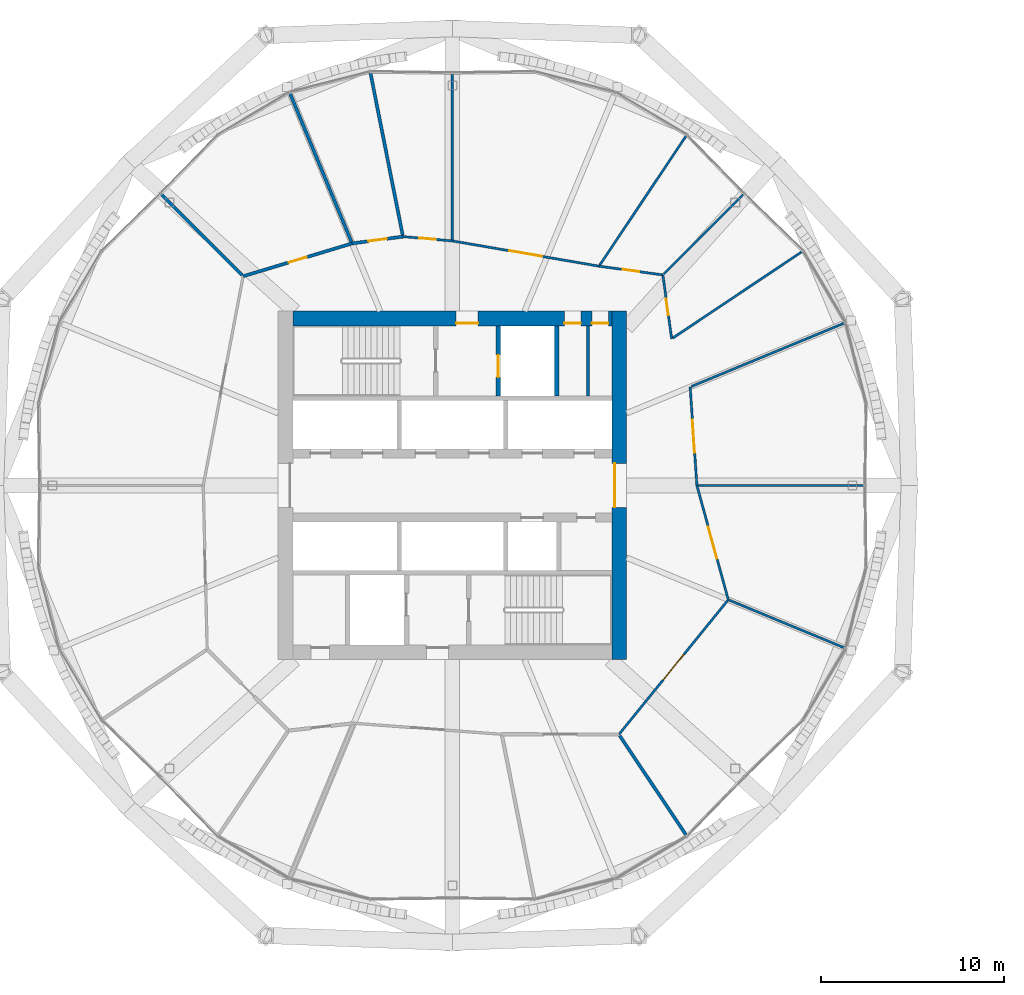
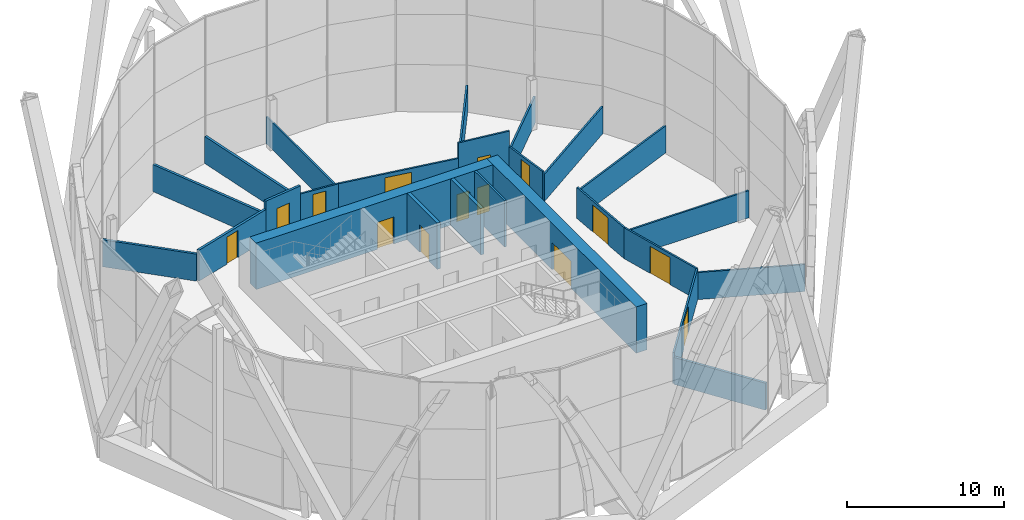
# One storey, part 29 of 37: 25 walls, 14 doors, 14 openings.
"""IFC4 building model written with IfcOpenShell, lengths in metres."""

from ifc_helpers import new_model, si_unit, direction, frame, frame_2d, origin, place, context, subcontext, project, spatial, rectangle, extrude, material, layer, layer_set, type_object, element, fill, save


model = new_model("IFC4")

# Units and contexts
model_context = context("Model", 3, precision=1e-05, world=origin(), true_north=direction((0.0, 1.0)))
body_context = subcontext(model_context, "Body", "Model", "MODEL_VIEW")
ifc_project = project(units=[si_unit("LENGTHUNIT", "METRE"), si_unit("AREAUNIT", "SQUARE_METRE"), si_unit("VOLUMEUNIT", "CUBIC_METRE"), si_unit("PLANEANGLEUNIT", "RADIAN"), si_unit("MASSUNIT", "GRAM", prefix="KILO")], contexts=[model_context])

# Site, building, storey
site_placement = place(None, origin())
site = spatial("IfcSite", under=ifc_project, at=site_placement, CompositionType="ELEMENT")
building_placement = place(site_placement, origin())
building = spatial("IfcBuilding", under=site, at=building_placement, Name="Ogive Gate Towers", CompositionType="ELEMENT")
storey_placement = place(building_placement, frame((0.0, 0.0, 32.39990234375)))
storey = spatial("IfcBuildingStorey", under=building, at=storey_placement, Name="L06", CompositionType="ELEMENT", Elevation=32.39990234375)

# Walls
ifc_material_1 = material(Name="Gypsum board acoustic partition")
ifc_layer_1 = layer(ifc_material_1, 0.175048828125)
ifc_layer_set_1 = layer_set([ifc_layer_1], Name="Acoustic partition 175")
wall_type_1 = type_object("IfcWallType", Name="Acoustic partition 175", PredefinedType="PARTITIONING", material=ifc_layer_set_1)
wall_1_placement = place(storey_placement, frame((-40.461669921875, 22.470947265625, 0.0), z_axis=(0.0, 0.0, 1.0), x_axis=(0.194737431918, -0.980855408615, 0.0)))
element("IfcWall", 1, at=wall_1_placement, inside=storey, type_object=wall_type_1, Name="Partition T1-L06-007", PredefinedType="PARTITIONING", context=body_context, shape_type="SweptSolid", body=[
    extrude(rectangle(XDim=8.991455078125, YDim=0.175048828125, at=frame_2d((4.49560546875, 0.0))), origin(), (0.0, 0.0, 1.0), 2.10009765625),
])
wall_2_placement = place(storey_placement, frame((-44.885986328125, 21.452880859375, 0.0), z_axis=(0.0, 0.0, 1.0), x_axis=(0.382685511133, -0.923878671455, 0.0)))
element("IfcWall", 2, at=wall_2_placement, inside=storey, type_object=wall_type_1, Name="Partition T1-L06-008", PredefinedType="PARTITIONING", context=body_context, shape_type="SweptSolid", body=[
    extrude(rectangle(XDim=8.851806640625, YDim=0.175048828125, at=frame_2d((4.42578125, 0.0))), origin(), (0.0, 0.0, 1.0), 2.10009765625),
])
wall_3_placement = place(storey_placement, frame((-51.845703125, 15.845703125, 0.0), z_axis=(0.0, 0.0, 1.0), x_axis=(0.707106781187, -0.707106781187, 0.0)))
element("IfcWall", 3, at=wall_3_placement, inside=storey, type_object=wall_type_1, Name="Partition T1-L06-009", PredefinedType="PARTITIONING", context=body_context, shape_type="SweptSolid", body=[
    extrude(rectangle(XDim=6.191650390625, YDim=0.175048828125, at=frame_2d((3.095703125, 0.0))), origin(), (0.0, 0.0, 1.0), 2.10009765625),
])
wall_4_placement = place(storey_placement, frame((-23.265625, -19.044189453125, 0.0), z_axis=(0.0, 0.0, 1.0), x_axis=(-0.55586264377, 0.831274155295, 0.0)))
element("IfcWall", 4, at=wall_4_placement, inside=storey, type_object=wall_type_1, Name="Partition T1-L06-015", PredefinedType="PARTITIONING", context=body_context, shape_type="SweptSolid", body=[
    extrude(rectangle(XDim=6.491455078125, YDim=0.175048828125, at=frame_2d((3.24560546875, 0.0))), origin(), (0.0, 0.0, 1.0), 2.10009765625),
])

# Wall, opening, door
wall_5_placement = place(storey_placement, frame((-38.693603515625, 13.56591796875, 0.0), z_axis=(0.0, 0.0, 1.0), x_axis=(-0.991120058081, -0.132970035981, 0.0)))
wall_5 = element("IfcWall", 5, at=wall_5_placement, inside=storey, type_object=wall_type_1, Name="Partition T1-L06-021", PredefinedType="PARTITIONING", context=body_context, shape_type="SweptSolid", body=[
    extrude(rectangle(XDim=2.79638671875, YDim=0.175048828125, at=frame_2d((1.398193359375, 0.0))), origin(), (0.0, 0.0, 1.0), 3.050048828125),
])
opening_1_placement = place(wall_5_placement, frame((0.89794921875, 0.0, 0.0)))
opening_1 = element("IfcOpeningElement", 6, at=opening_1_placement, cuts=wall_5, Name="Opening T1-L06-D05", PredefinedType="OPENING", context=body_context, shape_type="SweptSolid", body=[
    extrude(rectangle(XDim=1.0, YDim=2.10009765625, at=frame_2d((0.5, 1.050048828125))), frame((0.0, 0.09765625, 0.0), z_axis=(0.0, -1.0, 0.0), x_axis=(1.0, 0.0, 0.0)), (0.0, 0.0, 1.0), 0.195068359375),
])
ifc_material_2 = material(Name="Timber door", Category="wood")
door_type_1 = type_object("IfcDoorType", Name="Door 1000", OperationType="NOTDEFINED", PredefinedType="DOOR", material=ifc_material_2)
door_1_placement = place(opening_1_placement, origin())
door_1 = element("IfcDoor", 7, at=door_1_placement, inside=storey, type_object=door_type_1, Name="Door T1-L06-D05", OperationType="SINGLE_SWING_RIGHT", OverallHeight=2.10009765625, OverallWidth=1.0, PredefinedType="DOOR", context=body_context, shape_type="SweptSolid", body=[
    extrude(rectangle(XDim=1.0, YDim=2.10009765625, at=frame_2d((0.5, 1.050048828125))), frame((0.0, 0.02490234375, 0.0), z_axis=(0.0, -1.0, 0.0), x_axis=(1.0, 0.0, 0.0)), (0.0, 0.0, 1.0), 0.050048828125),
])
fill(opening_1, door_1)

wall_6_placement = place(storey_placement, frame((-41.465087890625, 13.194091796875, 0.0), z_axis=(0.0, 0.0, 1.0), x_axis=(-0.957554002329, -0.288253937741, 0.0)))
wall_6 = element("IfcWall", 8, at=wall_6_placement, inside=storey, type_object=wall_type_1, Name="Partition T1-L06-022", PredefinedType="PARTITIONING", context=body_context, shape_type="SweptSolid", body=[
    extrude(rectangle(XDim=6.2041015625, YDim=0.175048828125, at=frame_2d((3.10205078125, 0.0))), origin(), (0.0, 0.0, 1.0), 2.400146484375),
])
opening_2_placement = place(wall_6_placement, frame((2.60205078125, 0.0, 0.0)))
opening_2 = element("IfcOpeningElement", 9, at=opening_2_placement, cuts=wall_6, Name="Opening T1-L06-D06", PredefinedType="OPENING", context=body_context, shape_type="SweptSolid", body=[
    extrude(rectangle(XDim=1.0, YDim=2.10009765625, at=frame_2d((0.5, 1.050048828125))), frame((0.0, 0.09765625, 0.0), z_axis=(0.0, -1.0, 0.0), x_axis=(1.0, 0.0, 0.0)), (0.0, 0.0, 1.0), 0.195068359375),
])
door_2_placement = place(opening_2_placement, origin())
door_2 = element("IfcDoor", 10, at=door_2_placement, inside=storey, type_object=door_type_1, Name="Door T1-L06-D06", OperationType="SINGLE_SWING_RIGHT", OverallHeight=2.10009765625, OverallWidth=1.0, PredefinedType="DOOR", context=body_context, shape_type="SweptSolid", body=[
    extrude(rectangle(XDim=1.0, YDim=2.10009765625, at=frame_2d((0.5, 1.050048828125))), frame((0.0, 0.02490234375, 0.0), z_axis=(0.0, -1.0, 0.0), x_axis=(1.0, 0.0, 0.0)), (0.0, 0.0, 1.0), 0.050048828125),
])
fill(opening_2, door_2)

# Wall, openings, doors
ifc_material_3 = material(Name="Concrete C60/75", Category="concrete")
ifc_layer_2 = layer(ifc_material_3, 0.800048828125)
ifc_layer_set_2 = layer_set([ifc_layer_2], Name="Core wall 800 mm")
wall_type_2 = type_object("IfcWallType", Name="Core wall 800 mm", PredefinedType="SHEAR", material=ifc_layer_set_2)
wall_7_placement = place(storey_placement, frame((-44.699951171875, 9.10009765625, 0.0), z_axis=(0.0, 0.0, 1.0), x_axis=(1.0, 0.0, 0.0)))
wall_7 = element("IfcWall", 11, at=wall_7_placement, inside=storey, type_object=wall_type_2, Name="T1 L06 Core wall 800 mm", PredefinedType="SHEAR", context=body_context, shape_type="SweptSolid", body=[
    extrude(rectangle(XDim=17.39990234375, YDim=0.800048828125, at=frame_2d((8.699951171875, 0.0))), origin(), (0.0, 0.0, 1.0), 3.60009765625),
])
opening_3_placement = place(wall_7_placement, frame((8.89990234375, 0.0, 0.0)))
opening_3 = element("IfcOpeningElement", 12, at=opening_3_placement, cuts=wall_7, Name="Opening KD-T1-L06-15", PredefinedType="OPENING", context=body_context, shape_type="SweptSolid", body=[
    extrude(rectangle(XDim=1.199951171875, YDim=2.10009765625, at=frame_2d((0.60009765625, 1.050048828125))), frame((0.0, 0.41015625, 0.0), z_axis=(0.0, -1.0, 0.0), x_axis=(1.0, 0.0, 0.0)), (0.0, 0.0, 1.0), 0.820068359375),
])
opening_4_placement = place(wall_7_placement, frame((14.800048828125, 0.0, 0.0)))
opening_4 = element("IfcOpeningElement", 13, at=opening_4_placement, cuts=wall_7, Name="Opening KD-T1-L06-17", PredefinedType="OPENING", context=body_context, shape_type="SweptSolid", body=[
    extrude(rectangle(XDim=0.89990234375, YDim=2.10009765625, at=frame_2d((0.449951171875, 1.050048828125))), frame((0.0, 0.41015625, 0.0), z_axis=(0.0, -1.0, 0.0), x_axis=(1.0, 0.0, 0.0)), (0.0, 0.0, 1.0), 0.820068359375),
])
opening_5_placement = place(wall_7_placement, frame((16.300048828125, 0.0, 0.0)))
opening_5 = element("IfcOpeningElement", 14, at=opening_5_placement, cuts=wall_7, Name="Opening KD-T1-L06-18", PredefinedType="OPENING", context=body_context, shape_type="SweptSolid", body=[
    extrude(rectangle(XDim=0.89990234375, YDim=2.10009765625, at=frame_2d((0.449951171875, 1.050048828125))), frame((0.0, 0.41015625, 0.0), z_axis=(0.0, -1.0, 0.0), x_axis=(1.0, 0.0, 0.0)), (0.0, 0.0, 1.0), 0.820068359375),
])
door_type_2 = type_object("IfcDoorType", Name="Core WC door 900 x 2100", OperationType="NOTDEFINED", PredefinedType="DOOR", material=ifc_material_2)
door_3_placement = place(opening_4_placement, origin())
door_3 = element("IfcDoor", 15, at=door_3_placement, inside=storey, type_object=door_type_2, Name="T1 L06 Core door", OperationType="SINGLE_SWING_RIGHT", OverallHeight=2.10009765625, OverallWidth=0.89990234375, PredefinedType="DOOR", context=body_context, shape_type="SweptSolid", body=[
    extrude(rectangle(XDim=0.89990234375, YDim=2.10009765625, at=frame_2d((0.449951171875, 1.050048828125))), frame((0.0, -0.22509765625, 0.0), z_axis=(0.0, -1.0, 0.0), x_axis=(1.0, 0.0, 0.0)), (0.0, 0.0, 1.0), 0.050048828125),
])
fill(opening_4, door_3)
door_4_placement = place(opening_5_placement, origin())
door_4 = element("IfcDoor", 16, at=door_4_placement, inside=storey, type_object=door_type_2, Name="T1 L06 Core door", OperationType="SINGLE_SWING_LEFT", OverallHeight=2.10009765625, OverallWidth=0.89990234375, PredefinedType="DOOR", context=body_context, shape_type="SweptSolid", body=[
    extrude(rectangle(XDim=0.89990234375, YDim=2.10009765625, at=frame_2d((0.449951171875, 1.050048828125))), frame((0.0, -0.22509765625, 0.0), z_axis=(0.0, -1.0, 0.0), x_axis=(1.0, 0.0, 0.0)), (0.0, 0.0, 1.0), 0.050048828125),
])
fill(opening_5, door_4)
ifc_material_4 = material(Name="Steel fire door", Category="steel")
door_type_3 = type_object("IfcDoorType", Name="Core door FD60S 1200 x 2100", OperationType="NOTDEFINED", PredefinedType="DOOR", material=ifc_material_4)
door_5_placement = place(opening_3_placement, origin())
door_5 = element("IfcDoor", 17, at=door_5_placement, inside=storey, type_object=door_type_3, Name="T1 L06 Fire-fighting lobby door", OperationType="SINGLE_SWING_RIGHT", OverallHeight=2.10009765625, OverallWidth=1.199951171875, PredefinedType="DOOR", context=body_context, shape_type="SweptSolid", body=[
    extrude(rectangle(XDim=1.199951171875, YDim=2.10009765625, at=frame_2d((0.60009765625, 1.050048828125))), frame((0.0, -0.22509765625, 0.0), z_axis=(0.0, -1.0, 0.0), x_axis=(1.0, 0.0, 0.0)), (0.0, 0.0, 1.0), 0.050048828125),
])
fill(opening_3, door_5)

# Wall, opening, door
wall_8_placement = place(storey_placement, frame((-26.89990234375, -9.5, 0.0), z_axis=(0.0, 0.0, 1.0), x_axis=(0.0, 1.0, 0.0)))
wall_8 = element("IfcWall", 18, at=wall_8_placement, inside=storey, type_object=wall_type_2, Name="T1 L06 Core wall 800 mm", PredefinedType="SHEAR", context=body_context, shape_type="SweptSolid", body=[
    extrude(rectangle(XDim=19.0, YDim=0.800048828125, at=frame_2d((9.5, 0.0))), origin(), (0.0, 0.0, 1.0), 3.60009765625),
])
opening_6_placement = place(wall_8_placement, frame((8.300048828125, 0.0, 0.0)))
opening_6 = element("IfcOpeningElement", 19, at=opening_6_placement, cuts=wall_8, Name="Opening KD-T1-L06-02", PredefinedType="OPENING", context=body_context, shape_type="SweptSolid", body=[
    extrude(rectangle(XDim=2.39990234375, YDim=2.10009765625, at=frame_2d((1.199951171875, 1.050048828125))), frame((0.0, 0.41015625, 0.0), z_axis=(0.0, -1.0, 0.0), x_axis=(1.0, 0.0, 0.0)), (0.0, 0.0, 1.0), 0.820068359375),
])
door_type_4 = type_object("IfcDoorType", Name="Core double door FD60S 2400 x 2100", OperationType="DOUBLE_DOOR_SINGLE_SWING", PredefinedType="DOOR", material=ifc_material_4)
door_6_placement = place(opening_6_placement, origin())
door_6 = element("IfcDoor", 20, at=door_6_placement, inside=storey, type_object=door_type_4, Name="T1 L06 Core door double", OperationType="DOUBLE_DOOR_SINGLE_SWING", OverallHeight=2.10009765625, OverallWidth=2.39990234375, PredefinedType="DOOR", context=body_context, shape_type="SweptSolid", body=[
    extrude(rectangle(XDim=2.39990234375, YDim=2.10009765625, at=frame_2d((1.199951171875, 1.050048828125))), frame((0.0, 0.27490234375, 0.0), z_axis=(0.0, -1.0, 0.0), x_axis=(1.0, 0.0, 0.0)), (0.0, 0.0, 1.0), 0.050048828125),
])
fill(opening_6, door_6)

# Walls
ifc_material_5 = material(Name="Gypsum board partition")
ifc_layer_3 = layer(ifc_material_5, 0.125)
ifc_layer_set_3 = layer_set([ifc_layer_3], Name="Partition 125")
wall_type_3 = type_object("IfcWallType", Name="Partition 125", PredefinedType="PARTITIONING", material=ifc_layer_set_3)
wall_9_placement = place(storey_placement, frame((-13.591064453125, 0.0, 0.0), z_axis=(0.0, 0.0, 1.0), x_axis=(-1.0, 0.0, 0.0)))
element("IfcWall", 21, at=wall_9_placement, inside=storey, type_object=wall_type_3, Name="Partition T1-L06-001", PredefinedType="PARTITIONING", context=body_context, shape_type="SweptSolid", body=[
    extrude(rectangle(XDim=9.016357421875, YDim=0.125, at=frame_2d((4.50830078125, 0.0))), origin(), (0.0, 0.0, 1.0), 2.10009765625),
])
wall_10_placement = place(storey_placement, frame((-14.547119140625, 8.885986328125, 0.0), z_axis=(0.0, 0.0, 1.0), x_axis=(-0.923880554075, -0.382680966084, 0.0)))
element("IfcWall", 22, at=wall_10_placement, inside=storey, type_object=wall_type_3, Name="Partition T1-L06-002", PredefinedType="PARTITIONING", context=body_context, shape_type="SweptSolid", body=[
    extrude(rectangle(XDim=9.126953125, YDim=0.125, at=frame_2d((4.5634765625, 0.0))), origin(), (0.0, 0.0, 1.0), 2.10009765625),
])
wall_11_placement = place(storey_placement, frame((-16.955810546875, 12.734375, 0.0), z_axis=(0.0, 0.0, 1.0), x_axis=(-0.83128646011, -0.555844241886, 0.0)))
element("IfcWall", 23, at=wall_11_placement, inside=storey, type_object=wall_type_3, Name="Partition T1-L06-003", PredefinedType="PARTITIONING", context=body_context, shape_type="SweptSolid", body=[
    extrude(rectangle(XDim=8.466552734375, YDim=0.125, at=frame_2d((4.2333984375, 0.0))), origin(), (0.0, 0.0, 1.0), 2.10009765625),
])
wall_12_placement = place(storey_placement, frame((-20.154296875, 15.845703125, 0.0), z_axis=(0.0, 0.0, 1.0), x_axis=(-0.707106781187, -0.707106781187, 0.0)))
element("IfcWall", 24, at=wall_12_placement, inside=storey, type_object=wall_type_3, Name="Partition T1-L06-004", PredefinedType="PARTITIONING", context=body_context, shape_type="SweptSolid", body=[
    extrude(rectangle(XDim=6.11669921875, YDim=0.125, at=frame_2d((3.058349609375, 0.0))), origin(), (0.0, 0.0, 1.0), 2.10009765625),
])
wall_13_placement = place(storey_placement, frame((-23.265625, 19.044189453125, 0.0), z_axis=(0.0, 0.0, 1.0), x_axis=(-0.555844241886, -0.83128646011, 0.0)))
element("IfcWall", 25, at=wall_13_placement, inside=storey, type_object=wall_type_3, Name="Partition T1-L06-005", PredefinedType="PARTITIONING", context=body_context, shape_type="SweptSolid", body=[
    extrude(rectangle(XDim=8.466552734375, YDim=0.125, at=frame_2d((4.2333984375, 0.0))), origin(), (0.0, 0.0, 1.0), 2.10009765625),
])
wall_14_placement = place(storey_placement, frame((-36.0, 22.408935546875, 0.0), z_axis=(0.0, 0.0, 1.0), x_axis=(0.0, -1.0, 0.0)))
element("IfcWall", 26, at=wall_14_placement, inside=storey, type_object=wall_type_3, Name="Partition T1-L06-006", PredefinedType="PARTITIONING", context=body_context, shape_type="SweptSolid", body=[
    extrude(rectangle(XDim=9.016357421875, YDim=0.125, at=frame_2d((4.50830078125, 0.0))), origin(), (0.0, 0.0, 1.0), 2.10009765625),
])
wall_15_placement = place(storey_placement, frame((-14.547119140625, -8.885986328125, 0.0), z_axis=(0.0, 0.0, 1.0), x_axis=(-0.923880530816, 0.382681022237, 0.0)))
element("IfcWall", 27, at=wall_15_placement, inside=storey, type_object=wall_type_3, Name="Partition T1-L06-016", PredefinedType="PARTITIONING", context=body_context, shape_type="SweptSolid", body=[
    extrude(rectangle(XDim=6.876708984375, YDim=0.125, at=frame_2d((3.4384765625, 0.0))), origin(), (0.0, 0.0, 1.0), 2.10009765625),
])

# Wall, opening, door
wall_16_placement = place(storey_placement, frame((-24.045654296875, 7.993408203125, 0.0), z_axis=(0.0, 0.0, 1.0), x_axis=(-0.13597467472, 0.990712313356, 0.0)))
wall_16 = element("IfcWall", 28, at=wall_16_placement, inside=storey, type_object=wall_type_3, Name="Partition T1-L06-017", PredefinedType="PARTITIONING", context=body_context, shape_type="SweptSolid", body=[
    extrude(rectangle(XDim=3.515625, YDim=0.125, at=frame_2d((1.7578125, 0.0))), origin(), (0.0, 0.0, 1.0), 2.400146484375),
])
opening_7_placement = place(wall_16_placement, frame((1.30810546875, 0.0, 0.0)))
opening_7 = element("IfcOpeningElement", 29, at=opening_7_placement, cuts=wall_16, Name="Opening T1-L06-D01", PredefinedType="OPENING", context=body_context, shape_type="SweptSolid", body=[
    extrude(rectangle(XDim=0.89990234375, YDim=2.10009765625, at=frame_2d((0.449951171875, 1.050048828125))), frame((0.0, 0.072509765625, 0.0), z_axis=(0.0, -1.0, 0.0), x_axis=(1.0, 0.0, 0.0)), (0.0, 0.0, 1.0), 0.14501953125),
])
door_type_5 = type_object("IfcDoorType", Name="Door 900", OperationType="NOTDEFINED", PredefinedType="DOOR", material=ifc_material_2)
door_7_placement = place(opening_7_placement, origin())
door_7 = element("IfcDoor", 30, at=door_7_placement, inside=storey, type_object=door_type_5, Name="Door T1-L06-D01", OperationType="SINGLE_SWING_LEFT", OverallHeight=2.10009765625, OverallWidth=0.89990234375, PredefinedType="DOOR", context=body_context, shape_type="SweptSolid", body=[
    extrude(rectangle(XDim=0.89990234375, YDim=2.10009765625, at=frame_2d((0.449951171875, 1.050048828125))), frame((0.0, 0.02490234375, 0.0), z_axis=(0.0, -1.0, 0.0), x_axis=(1.0, 0.0, 0.0)), (0.0, 0.0, 1.0), 0.050048828125),
])
fill(opening_7, door_7)

wall_17_placement = place(storey_placement, frame((-24.523681640625, 11.476318359375, 0.0), z_axis=(0.0, 0.0, 1.0), x_axis=(-0.990712313356, 0.13597467472, 0.0)))
wall_17 = element("IfcWall", 31, at=wall_17_placement, inside=storey, type_object=wall_type_3, Name="Partition T1-L06-018", PredefinedType="PARTITIONING", context=body_context, shape_type="SweptSolid", body=[
    extrude(rectangle(XDim=3.515625, YDim=0.125, at=frame_2d((1.7578125, 0.0))), origin(), (0.0, 0.0, 1.0), 3.60009765625),
])
opening_8_placement = place(wall_17_placement, frame((1.30810546875, 0.0, 0.0)))
opening_8 = element("IfcOpeningElement", 32, at=opening_8_placement, cuts=wall_17, Name="Opening T1-L06-D02", PredefinedType="OPENING", context=body_context, shape_type="SweptSolid", body=[
    extrude(rectangle(XDim=0.89990234375, YDim=2.10009765625, at=frame_2d((0.449951171875, 1.050048828125))), frame((0.0, 0.072509765625, 0.0), z_axis=(0.0, -1.0, 0.0), x_axis=(1.0, 0.0, 0.0)), (0.0, 0.0, 1.0), 0.14501953125),
])
door_8_placement = place(opening_8_placement, origin())
door_8 = element("IfcDoor", 33, at=door_8_placement, inside=storey, type_object=door_type_5, Name="Door T1-L06-D02", OperationType="SINGLE_SWING_LEFT", OverallHeight=2.10009765625, OverallWidth=0.89990234375, PredefinedType="DOOR", context=body_context, shape_type="SweptSolid", body=[
    extrude(rectangle(XDim=0.89990234375, YDim=2.10009765625, at=frame_2d((0.449951171875, 1.050048828125))), frame((0.0, 0.02490234375, 0.0), z_axis=(0.0, -1.0, 0.0), x_axis=(1.0, 0.0, 0.0)), (0.0, 0.0, 1.0), 0.050048828125),
])
fill(opening_8, door_8)

wall_18_placement = place(storey_placement, frame((-28.006591796875, 11.954345703125, 0.0), z_axis=(0.0, 0.0, 1.0), x_axis=(-0.9855104711, 0.16961459652, 0.0)))
wall_18 = element("IfcWall", 34, at=wall_18_placement, inside=storey, type_object=wall_type_3, Name="Partition T1-L06-019", PredefinedType="PARTITIONING", context=body_context, shape_type="SweptSolid", body=[
    extrude(rectangle(XDim=8.11083984375, YDim=0.125, at=frame_2d((4.055419921875, 0.0))), origin(), (0.0, 0.0, 1.0), 2.400146484375),
])
opening_9_placement = place(wall_18_placement, frame((3.156005859375, 0.0, 0.0)))
opening_9 = element("IfcOpeningElement", 35, at=opening_9_placement, cuts=wall_18, Name="Opening T1-L06-D03", PredefinedType="OPENING", context=body_context, shape_type="SweptSolid", body=[
    extrude(rectangle(XDim=1.800048828125, YDim=2.10009765625, at=frame_2d((0.89990234375, 1.050048828125))), frame((0.0, 0.072509765625, 0.0), z_axis=(0.0, -1.0, 0.0), x_axis=(1.0, 0.0, 0.0)), (0.0, 0.0, 1.0), 0.14501953125),
])
door_type_6 = type_object("IfcDoorType", Name="Door pair 1800", OperationType="NOTDEFINED", PredefinedType="DOOR", material=ifc_material_2)
door_9_placement = place(opening_9_placement, origin())
door_9 = element("IfcDoor", 36, at=door_9_placement, inside=storey, type_object=door_type_6, Name="Door T1-L06-D03", OperationType="DOUBLE_DOOR_DOUBLE_SWING", OverallHeight=2.10009765625, OverallWidth=1.800048828125, PredefinedType="DOOR", context=body_context, shape_type="SweptSolid", body=[
    extrude(rectangle(XDim=1.800048828125, YDim=2.10009765625, at=frame_2d((0.89990234375, 1.050048828125))), frame((0.0, 0.02490234375, 0.0), z_axis=(0.0, -1.0, 0.0), x_axis=(1.0, 0.0, 0.0)), (0.0, 0.0, 1.0), 0.050048828125),
])
fill(opening_9, door_9)

wall_19_placement = place(storey_placement, frame((-36.0, 13.330078125, 0.0), z_axis=(0.0, 0.0, 1.0), x_axis=(-0.996188913678, 0.087221833646, 0.0)))
wall_19 = element("IfcWall", 37, at=wall_19_placement, inside=storey, type_object=wall_type_3, Name="Partition T1-L06-020", PredefinedType="PARTITIONING", context=body_context, shape_type="SweptSolid", body=[
    extrude(rectangle(XDim=2.703857421875, YDim=0.125, at=frame_2d((1.35205078125, 0.0))), origin(), (0.0, 0.0, 1.0), 2.400146484375),
])
opening_10_placement = place(wall_19_placement, frame((0.902099609375, 0.0, 0.0)))
opening_10 = element("IfcOpeningElement", 38, at=opening_10_placement, cuts=wall_19, Name="Opening T1-L06-D04", PredefinedType="OPENING", context=body_context, shape_type="SweptSolid", body=[
    extrude(rectangle(XDim=0.89990234375, YDim=2.10009765625, at=frame_2d((0.449951171875, 1.050048828125))), frame((0.0, 0.072509765625, 0.0), z_axis=(0.0, -1.0, 0.0), x_axis=(1.0, 0.0, 0.0)), (0.0, 0.0, 1.0), 0.14501953125),
])
door_10_placement = place(opening_10_placement, origin())
door_10 = element("IfcDoor", 39, at=door_10_placement, inside=storey, type_object=door_type_5, Name="Door T1-L06-D04", OperationType="SINGLE_SWING_LEFT", OverallHeight=2.10009765625, OverallWidth=0.89990234375, PredefinedType="DOOR", context=body_context, shape_type="SweptSolid", body=[
    extrude(rectangle(XDim=0.89990234375, YDim=2.10009765625, at=frame_2d((0.449951171875, 1.050048828125))), frame((0.0, 0.02490234375, 0.0), z_axis=(0.0, -1.0, 0.0), x_axis=(1.0, 0.0, 0.0)), (0.0, 0.0, 1.0), 0.050048828125),
])
fill(opening_10, door_10)

wall_20_placement = place(storey_placement, frame((-26.922607421875, -13.5751953125, 0.0), z_axis=(0.0, 0.0, 1.0), x_axis=(0.63038665827, 0.776281302799, 0.0)))
wall_20 = element("IfcWall", 40, at=wall_20_placement, inside=storey, type_object=wall_type_3, Name="Partition T1-L06-029", PredefinedType="PARTITIONING", context=body_context, shape_type="SweptSolid", body=[
    extrude(rectangle(XDim=9.46142578125, YDim=0.125, at=frame_2d((4.730712890625, 0.0))), origin(), (0.0, 0.0, 1.0), 2.400146484375),
])
opening_11_placement = place(wall_20_placement, frame((3.8310546875, 0.0, 0.0)))
opening_11 = element("IfcOpeningElement", 41, at=opening_11_placement, cuts=wall_20, Name="Opening T1-L06-D13", PredefinedType="OPENING", context=body_context, shape_type="SweptSolid", body=[
    extrude(rectangle(XDim=1.800048828125, YDim=2.10009765625, at=frame_2d((0.89990234375, 1.050048828125))), frame((0.0, 0.072509765625, 0.0), z_axis=(0.0, -1.0, 0.0), x_axis=(1.0, 0.0, 0.0)), (0.0, 0.0, 1.0), 0.14501953125),
])
door_11_placement = place(opening_11_placement, origin())
door_11 = element("IfcDoor", 42, at=door_11_placement, inside=storey, type_object=door_type_6, Name="Door T1-L06-D13", OperationType="DOUBLE_DOOR_DOUBLE_SWING", OverallHeight=2.10009765625, OverallWidth=1.800048828125, PredefinedType="DOOR", context=body_context, shape_type="SweptSolid", body=[
    extrude(rectangle(XDim=1.800048828125, YDim=2.10009765625, at=frame_2d((0.89990234375, 1.050048828125))), frame((0.0, 0.02490234375, 0.0), z_axis=(0.0, -1.0, 0.0), x_axis=(1.0, 0.0, 0.0)), (0.0, 0.0, 1.0), 0.050048828125),
])
fill(opening_11, door_11)

wall_21_placement = place(storey_placement, frame((-20.958251953125, -6.23046875, 0.0), z_axis=(0.0, 0.0, 1.0), x_axis=(-0.264910575557, 0.96427298363, 0.0)))
wall_21 = element("IfcWall", 43, at=wall_21_placement, inside=storey, type_object=wall_type_3, Name="Partition T1-L06-030", PredefinedType="PARTITIONING", context=body_context, shape_type="SweptSolid", body=[
    extrude(rectangle(XDim=6.46142578125, YDim=0.125, at=frame_2d((3.230712890625, 0.0))), origin(), (0.0, 0.0, 1.0), 2.400146484375),
])
opening_12_placement = place(wall_21_placement, frame((2.3310546875, 0.0, 0.0)))
opening_12 = element("IfcOpeningElement", 44, at=opening_12_placement, cuts=wall_21, Name="Opening T1-L06-D14", PredefinedType="OPENING", context=body_context, shape_type="SweptSolid", body=[
    extrude(rectangle(XDim=1.800048828125, YDim=2.10009765625, at=frame_2d((0.89990234375, 1.050048828125))), frame((0.0, 0.072509765625, 0.0), z_axis=(0.0, -1.0, 0.0), x_axis=(1.0, 0.0, 0.0)), (0.0, 0.0, 1.0), 0.14501953125),
])
door_12_placement = place(opening_12_placement, origin())
door_12 = element("IfcDoor", 45, at=door_12_placement, inside=storey, type_object=door_type_6, Name="Door T1-L06-D14", OperationType="DOUBLE_DOOR_DOUBLE_SWING", OverallHeight=2.10009765625, OverallWidth=1.800048828125, PredefinedType="DOOR", context=body_context, shape_type="SweptSolid", body=[
    extrude(rectangle(XDim=1.800048828125, YDim=2.10009765625, at=frame_2d((0.89990234375, 1.050048828125))), frame((0.0, 0.02490234375, 0.0), z_axis=(0.0, -1.0, 0.0), x_axis=(1.0, 0.0, 0.0)), (0.0, 0.0, 1.0), 0.050048828125),
])
fill(opening_12, door_12)

wall_22_placement = place(storey_placement, frame((-22.669921875, 0.0, 0.0), z_axis=(0.0, 0.0, 1.0), x_axis=(-0.068226049747, 0.997669888358, 0.0)))
wall_22 = element("IfcWall", 46, at=wall_22_placement, inside=storey, type_object=wall_type_3, Name="Partition T1-L06-031", PredefinedType="PARTITIONING", context=body_context, shape_type="SweptSolid", body=[
    extrude(rectangle(XDim=5.3818359375, YDim=0.125, at=frame_2d((2.69091796875, 0.0))), origin(), (0.0, 0.0, 1.0), 2.400146484375),
])
opening_13_placement = place(wall_22_placement, frame((1.791015625, 0.0, 0.0)))
opening_13 = element("IfcOpeningElement", 47, at=opening_13_placement, cuts=wall_22, Name="Opening T1-L06-D15", PredefinedType="OPENING", context=body_context, shape_type="SweptSolid", body=[
    extrude(rectangle(XDim=1.800048828125, YDim=2.10009765625, at=frame_2d((0.89990234375, 1.050048828125))), frame((0.0, 0.072509765625, 0.0), z_axis=(0.0, -1.0, 0.0), x_axis=(1.0, 0.0, 0.0)), (0.0, 0.0, 1.0), 0.14501953125),
])
door_13_placement = place(opening_13_placement, origin())
door_13 = element("IfcDoor", 48, at=door_13_placement, inside=storey, type_object=door_type_6, Name="Door T1-L06-D15", OperationType="DOUBLE_DOOR_DOUBLE_SWING", OverallHeight=2.10009765625, OverallWidth=1.800048828125, PredefinedType="DOOR", context=body_context, shape_type="SweptSolid", body=[
    extrude(rectangle(XDim=1.800048828125, YDim=2.10009765625, at=frame_2d((0.89990234375, 1.050048828125))), frame((0.0, 0.02490234375, 0.0), z_axis=(0.0, -1.0, 0.0), x_axis=(1.0, 0.0, 0.0)), (0.0, 0.0, 1.0), 0.050048828125),
])
fill(opening_13, door_13)

# Wall
ifc_layer_4 = layer(ifc_material_5, 0.14990234375)
ifc_layer_set_4 = layer_set([ifc_layer_4], Name="Room partition 150 mm")
wall_type_4 = type_object("IfcWallType", Name="Room partition 150 mm", PredefinedType="PARTITIONING", material=ifc_layer_set_4)
wall_23_placement = place(storey_placement, frame((-28.60009765625, 4.875, 0.0), z_axis=(0.0, 0.0, 1.0), x_axis=(0.0, 1.0, 0.0)))
element("IfcWall", 49, at=wall_23_placement, inside=storey, type_object=wall_type_4, Name="T1 L06 Room partition 150 mm", PredefinedType="PARTITIONING", context=body_context, shape_type="SweptSolid", body=[
    extrude(rectangle(XDim=3.824951171875, YDim=0.14990234375, at=frame_2d((1.91259765625, 0.0))), origin(), (0.0, 0.0, 1.0), 3.60009765625),
])

# Wall, opening, door
ifc_layer_5 = layer(ifc_material_3, 0.25)
ifc_layer_set_5 = layer_set([ifc_layer_5], Name="Shaft wall 250 mm")
wall_type_5 = type_object("IfcWallType", Name="Shaft wall 250 mm", PredefinedType="SHEAR", material=ifc_layer_set_5)
wall_24_placement = place(storey_placement, frame((-33.5, 4.875, 0.0), z_axis=(0.0, 0.0, 1.0), x_axis=(0.0, 1.0, 0.0)))
wall_24 = element("IfcWall", 50, at=wall_24_placement, inside=storey, type_object=wall_type_5, Name="T1 L06 Shaft wall 250 mm", PredefinedType="SHEAR", context=body_context, shape_type="SweptSolid", body=[
    extrude(rectangle(XDim=3.824951171875, YDim=0.25, at=frame_2d((1.91259765625, 0.0))), origin(), (0.0, 0.0, 1.0), 3.60009765625),
])
opening_14_placement = place(wall_24_placement, frame((1.02490234375, 0.0, 0.0)))
opening_14 = element("IfcOpeningElement", 51, at=opening_14_placement, cuts=wall_24, Name="Opening LD-T1-L06-10", PredefinedType="OPENING", context=body_context, shape_type="SweptSolid", body=[
    extrude(rectangle(XDim=1.199951171875, YDim=2.10009765625, at=frame_2d((0.60009765625, 1.050048828125))), frame((0.0, 0.135009765625, 0.0), z_axis=(0.0, -1.0, 0.0), x_axis=(1.0, 0.0, 0.0)), (0.0, 0.0, 1.0), 0.27001953125),
])
ifc_material_6 = material(Name="Stainless steel landing door", Category="steel")
door_type_7 = type_object("IfcDoorType", Name="Landing door 1200 x 2100", OperationType="SLIDING_TO_LEFT", PredefinedType="DOOR", material=ifc_material_6)
door_14_placement = place(opening_14_placement, origin())
door_14 = element("IfcDoor", 52, at=door_14_placement, inside=storey, type_object=door_type_7, Name="T1 L06 Lift landing door FF1", OperationType="SLIDING_TO_LEFT", OverallHeight=2.10009765625, OverallWidth=1.199951171875, PredefinedType="DOOR", context=body_context, shape_type="SweptSolid", body=[
    extrude(rectangle(XDim=1.199951171875, YDim=2.10009765625, at=frame_2d((0.60009765625, 1.050048828125))), frame((0.0, 0.02490234375, 0.0), z_axis=(0.0, -1.0, 0.0), x_axis=(1.0, 0.0, 0.0)), (0.0, 0.0, 1.0), 0.050048828125),
])
fill(opening_14, door_14)

# Wall
wall_25_placement = place(storey_placement, frame((-30.300048828125, 4.875, 0.0), z_axis=(0.0, 0.0, 1.0), x_axis=(0.0, 1.0, 0.0)))
element("IfcWall", 53, at=wall_25_placement, inside=storey, type_object=wall_type_5, Name="T1 L06 Shaft wall 250 mm", PredefinedType="SHEAR", context=body_context, shape_type="SweptSolid", body=[
    extrude(rectangle(XDim=3.824951171875, YDim=0.25, at=frame_2d((1.91259765625, 0.0))), origin(), (0.0, 0.0, 1.0), 3.60009765625),
])

save(model, "model.ifc")
